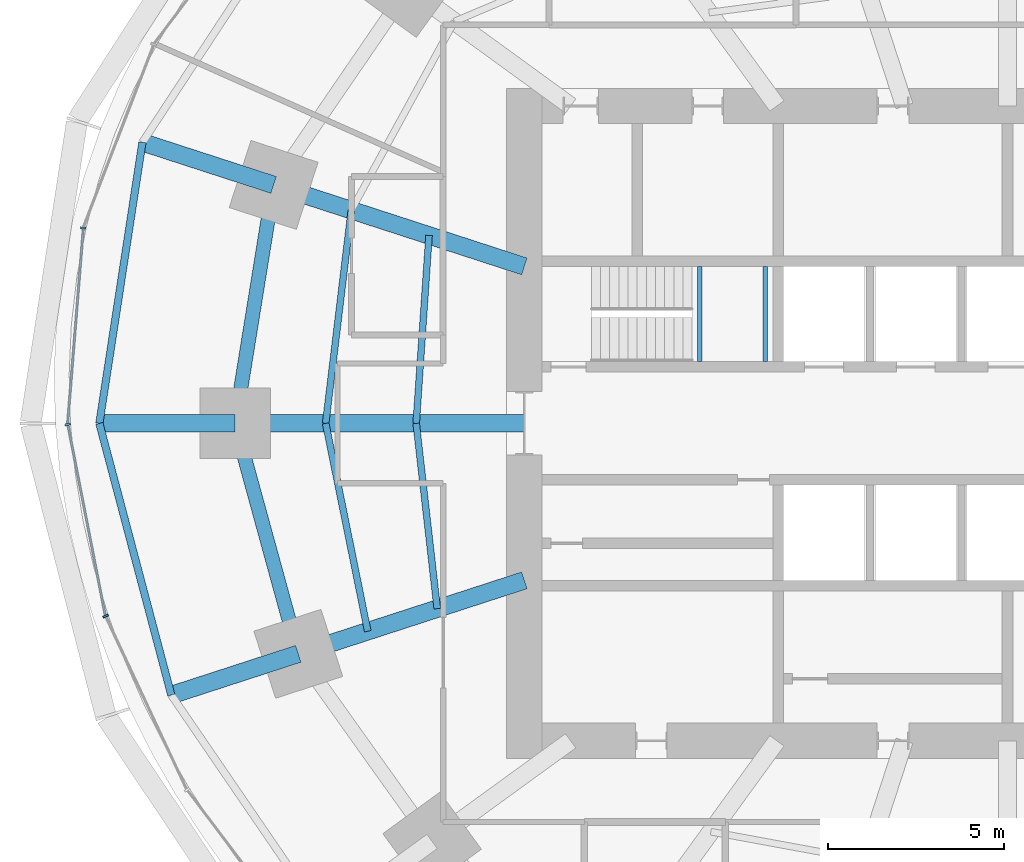
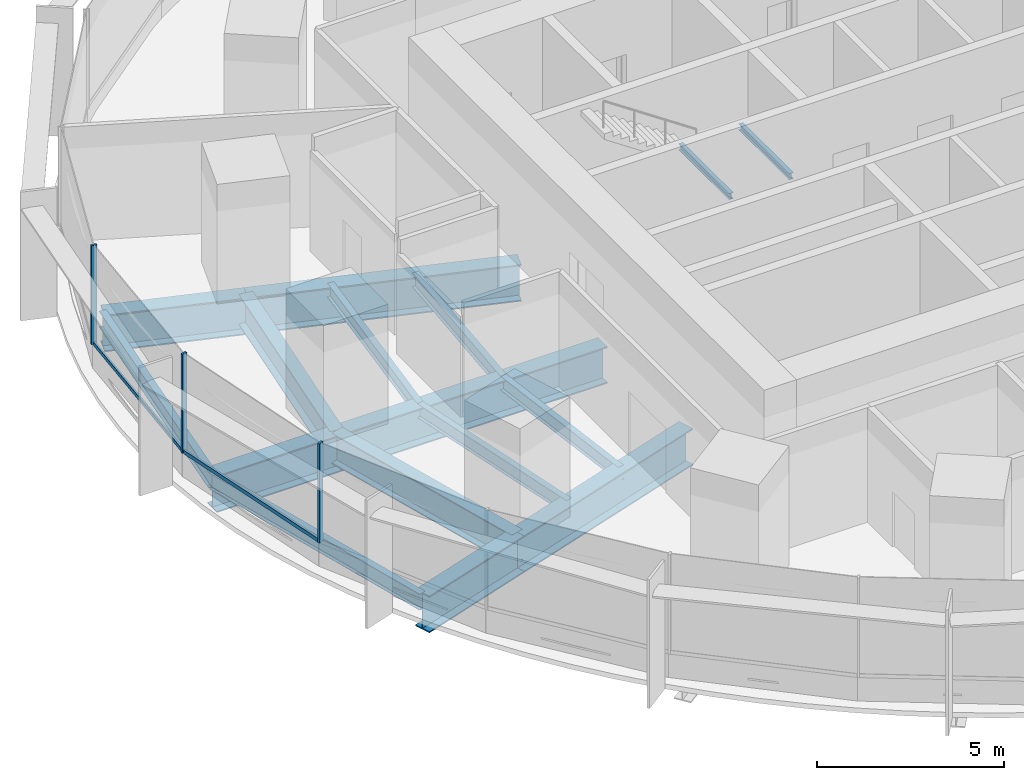
# One storey, part 4 of 15: 16 beams, 5 members, 2 elements without a shape of their own.
"""IFC4 building model written with IfcOpenShell, lengths in metres."""

from ifc_helpers import new_model, si_unit, direction, frame, origin, origin_2d, place, context, subcontext, project, spatial, rectangle, i_section, extrude, material, material_profile, profile_set, type_object, element, aggregate, save


model = new_model("IFC4")

# Units and contexts
model_context = context("Model", 3, precision=1e-05, world=origin(), true_north=direction((0.0, 1.0)))
body_context = subcontext(model_context, "Body", "Model", "MODEL_VIEW")
ifc_project = project(units=[si_unit("LENGTHUNIT", "METRE"), si_unit("AREAUNIT", "SQUARE_METRE"), si_unit("VOLUMEUNIT", "CUBIC_METRE"), si_unit("PLANEANGLEUNIT", "RADIAN"), si_unit("MASSUNIT", "GRAM", prefix="KILO")], contexts=[model_context])

# Site, building, storey
site_placement = place(None, origin())
site = spatial("IfcSite", under=ifc_project, at=site_placement, CompositionType="ELEMENT")
building_placement = place(site_placement, origin())
building = spatial("IfcBuilding", under=site, at=building_placement, Name="Marramba Exchange Tower", CompositionType="ELEMENT")
storey_placement = place(building_placement, frame((0.0, 0.0, 32.199951171875)))
storey = spatial("IfcBuildingStorey", under=building, at=storey_placement, Name="L07", CompositionType="ELEMENT", Elevation=32.199951171875)

# Beams
ifc_material_1 = material(Name="Steel AS/NZS 3679.2 grade 300", Category="steel")
ifc_material_profile_1 = material_profile(ifc_material_1, i_section(OverallWidth=0.5, OverallDepth=1.199951171875, WebThickness=0.01611328125, FlangeThickness=0.0400390625, at=origin_2d()), Name="1200WB455")
ifc_profile_set_1 = profile_set([ifc_material_profile_1], Name="Steel AS/NZS 3679.2 grade 300")
beam_type_1 = type_object("IfcBeamType", Name="Cantilever girder 1200WB455", PredefinedType="BEAM", material=ifc_profile_set_1)
beam_1_placement = place(storey_placement, frame((-20.808349609375, 6.760986328125, -0.760009765625), z_axis=(-0.951058833549, 0.309009862508, 0.0), x_axis=(-0.309009862508, -0.951058833549, 0.0)))
element("IfcBeam", 1, at=beam_1_placement, inside=storey, type_object=beam_type_1, Name="Cantilever girder L07 TC10", PredefinedType="BEAM", context=body_context, shape_type="SweptSolid", body=[
    extrude(i_section(OverallWidth=0.5, OverallDepth=1.199951171875, WebThickness=0.01611328125, FlangeThickness=0.0400390625, at=origin_2d()), origin(), (0.0, 0.0, 1.0), 3.91162109375),
])
beam_2_placement = place(storey_placement, frame((-21.89990234375, 0.0, -0.760009765625), z_axis=(-1.0, 0.0, 0.0), x_axis=(0.0, -1.0, 0.0)))
element("IfcBeam", 2, at=beam_2_placement, inside=storey, type_object=beam_type_1, Name="Cantilever girder L07 TC11", PredefinedType="BEAM", context=body_context, shape_type="SweptSolid", body=[
    extrude(i_section(OverallWidth=0.5, OverallDepth=1.199951171875, WebThickness=0.01611328125, FlangeThickness=0.0400390625, at=origin_2d()), origin(), (0.0, 0.0, 1.0), 3.85009765625),
])
beam_3_placement = place(storey_placement, frame((-20.109375, -6.533935546875, -0.760009765625), z_axis=(-0.951048759501, -0.309040866314, 0.0), x_axis=(0.309040866314, -0.951048759501, 0.0)))
element("IfcBeam", 3, at=beam_3_placement, inside=storey, type_object=beam_type_1, Name="Cantilever girder L07 TC12", PredefinedType="BEAM", context=body_context, shape_type="SweptSolid", body=[
    extrude(i_section(OverallWidth=0.5, OverallDepth=1.199951171875, WebThickness=0.01611328125, FlangeThickness=0.0400390625, at=origin_2d()), origin(), (0.0, 0.0, 1.0), 3.78564453125),
])
ifc_material_2 = material(Name="Steel AS/NZS 3679.1 grade 300", Category="steel")
ifc_material_profile_2 = material_profile(ifc_material_2, i_section(OverallWidth=0.18994140625, OverallDepth=0.4541015625, WebThickness=0.008544921875, FlangeThickness=0.0126953125, FilletRadius=0.011474609375, at=origin_2d()), Name="460UB67.1")
ifc_profile_set_2 = profile_set([ifc_material_profile_2], Name="Steel AS/NZS 3679.1 grade 300")
beam_type_2 = type_object("IfcBeamType", Name="Floor joist 460UB67.1", PredefinedType="JOIST", material=ifc_profile_set_2)
beam_4_placement = place(storey_placement, frame((-16.40283203125, 5.32958984375, -0.386962890625), z_axis=(-0.068096259546, -0.99767875563, 0.0), x_axis=(0.99767875563, -0.068096259546, 0.0)))
element("IfcBeam", 4, at=beam_4_placement, inside=storey, type_object=beam_type_2, Name="Joist L07 bay 10 row 1", PredefinedType="JOIST", context=body_context, shape_type="SweptSolid", body=[
    extrude(i_section(OverallWidth=0.18994140625, OverallDepth=0.4541015625, WebThickness=0.008544921875, FlangeThickness=0.0126953125, FilletRadius=0.011474609375, at=origin_2d()), origin(), (0.0, 0.0, 1.0), 5.342041015625),
])
beam_5_placement = place(storey_placement, frame((-18.60546875, 6.04541015625, -0.386962890625), z_axis=(-0.119523078538, -0.992831422597, 0.0), x_axis=(0.992831422597, -0.119523078538, 0.0)))
element("IfcBeam", 5, at=beam_5_placement, inside=storey, type_object=beam_type_2, Name="Joist L07 bay 10 row 2", PredefinedType="JOIST", context=body_context, shape_type="SweptSolid", body=[
    extrude(i_section(OverallWidth=0.18994140625, OverallDepth=0.4541015625, WebThickness=0.008544921875, FlangeThickness=0.0126953125, FilletRadius=0.011474609375, at=origin_2d()), origin(), (0.0, 0.0, 1.0), 6.089111328125),
])
beam_6_placement = place(storey_placement, frame((-16.7666015625, 0.0, -0.386962890625), z_axis=(0.112888968594, -0.993607609054, 0.0), x_axis=(0.993607609054, 0.112888968594, 0.0)))
element("IfcBeam", 6, at=beam_6_placement, inside=storey, type_object=beam_type_2, Name="Joist L07 bay 11 row 1", PredefinedType="JOIST", context=body_context, shape_type="SweptSolid", body=[
    extrude(i_section(OverallWidth=0.18994140625, OverallDepth=0.4541015625, WebThickness=0.008544921875, FlangeThickness=0.0126953125, FilletRadius=0.011474609375, at=origin_2d()), origin(), (0.0, 0.0, 1.0), 5.28759765625),
])
beam_7_placement = place(storey_placement, frame((-19.333251953125, 0.0, -0.386962890625), z_axis=(0.198489047047, -0.980103105904, 0.0), x_axis=(0.980103105904, 0.198489047047, 0.0)))
element("IfcBeam", 7, at=beam_7_placement, inside=storey, type_object=beam_type_2, Name="Joist L07 bay 11 row 2", PredefinedType="JOIST", context=body_context, shape_type="SweptSolid", body=[
    extrude(i_section(OverallWidth=0.18994140625, OverallDepth=0.4541015625, WebThickness=0.008544921875, FlangeThickness=0.0126953125, FilletRadius=0.011474609375, at=origin_2d()), origin(), (0.0, 0.0, 1.0), 6.013427734375),
])
ifc_material_profile_3 = material_profile(ifc_material_1, i_section(OverallWidth=0.5, OverallDepth=1.199951171875, WebThickness=0.01611328125, FlangeThickness=0.0400390625, at=origin_2d()), Name="1200WB455")
ifc_profile_set_3 = profile_set([ifc_material_profile_3], Name="Steel AS/NZS 3679.2 grade 300")
beam_type_3 = type_object("IfcBeamType", Name="Radial girder 1200WB455", PredefinedType="BEAM", material=ifc_profile_set_3)
beam_8_placement = place(storey_placement, frame((-13.699951171875, 4.451416015625, -0.760009765625), z_axis=(-0.951059990189, 0.309006302624, 0.0), x_axis=(-0.309006302624, -0.951059990189, 0.0)))
element("IfcBeam", 8, at=beam_8_placement, inside=storey, type_object=beam_type_3, Name="Radial girder L07 TC10", PredefinedType="BEAM", context=body_context, shape_type="SweptSolid", body=[
    extrude(i_section(OverallWidth=0.5, OverallDepth=1.199951171875, WebThickness=0.01611328125, FlangeThickness=0.0400390625, at=origin_2d()), origin(), (0.0, 0.0, 1.0), 7.47412109375),
])
beam_9_placement = place(storey_placement, frame((-13.699951171875, 0.0, -0.760009765625), z_axis=(-1.0, 0.0, 0.0), x_axis=(0.0, -1.0, 0.0)))
element("IfcBeam", 9, at=beam_9_placement, inside=storey, type_object=beam_type_3, Name="Radial girder L07 TC11", PredefinedType="BEAM", context=body_context, shape_type="SweptSolid", body=[
    extrude(i_section(OverallWidth=0.5, OverallDepth=1.199951171875, WebThickness=0.01611328125, FlangeThickness=0.0400390625, at=origin_2d()), origin(), (0.0, 0.0, 1.0), 8.199951171875),
])
beam_10_placement = place(storey_placement, frame((-13.699951171875, -4.451416015625, -0.760009765625), z_axis=(-0.951057759669, -0.309013167637, 0.0), x_axis=(0.309013167637, -0.951057759669, 0.0)))
element("IfcBeam", 10, at=beam_10_placement, inside=storey, type_object=beam_type_3, Name="Radial girder L07 TC12", PredefinedType="BEAM", context=body_context, shape_type="SweptSolid", body=[
    extrude(i_section(OverallWidth=0.5, OverallDepth=1.199951171875, WebThickness=0.01611328125, FlangeThickness=0.0400390625, at=origin_2d()), origin(), (0.0, 0.0, 1.0), 6.7392578125),
])
ifc_material_profile_4 = material_profile(ifc_material_1, i_section(OverallWidth=0.39990234375, OverallDepth=1.0, WebThickness=0.01611328125, FlangeThickness=0.031982421875, at=origin_2d()), Name="1000WB322")
ifc_profile_set_4 = profile_set([ifc_material_profile_4], Name="Steel AS/NZS 3679.2 grade 300")
beam_type_4 = type_object("IfcBeamType", Name="Ring beam 1000WB322", PredefinedType="SPANDREL", material=ifc_profile_set_4)
beam_11_placement = place(storey_placement, frame((-20.808349609375, 6.760986328125, -0.659912109375), z_axis=(-0.159384865399, -0.987216523708, 0.0), x_axis=(0.987216523708, -0.159384865399, 0.0)))
element("IfcBeam", 11, at=beam_11_placement, inside=storey, type_object=beam_type_4, Name="Ring beam L07 TC10-TC11", PredefinedType="SPANDREL", context=body_context, shape_type="SweptSolid", body=[
    extrude(i_section(OverallWidth=0.39990234375, OverallDepth=1.0, WebThickness=0.01611328125, FlangeThickness=0.031982421875, at=origin_2d()), origin(), (0.0, 0.0, 1.0), 6.8486328125),
])
beam_12_placement = place(storey_placement, frame((-21.89990234375, 0.0, -0.659912109375), z_axis=(0.264291166956, -0.964442937176, 0.0), x_axis=(0.964442937176, 0.264291166956, 0.0)))
element("IfcBeam", 12, at=beam_12_placement, inside=storey, type_object=beam_type_4, Name="Ring beam L07 TC11-TC12", PredefinedType="SPANDREL", context=body_context, shape_type="SweptSolid", body=[
    extrude(i_section(OverallWidth=0.39990234375, OverallDepth=1.0, WebThickness=0.01611328125, FlangeThickness=0.031982421875, at=origin_2d()), origin(), (0.0, 0.0, 1.0), 6.77490234375),
])
ifc_material_profile_5 = material_profile(ifc_material_2, i_section(OverallWidth=0.208984375, OverallDepth=0.528076171875, WebThickness=0.009521484375, FlangeThickness=0.01318359375, FilletRadius=0.013916015625, at=origin_2d()), Name="530UB82.0")
ifc_profile_set_5 = profile_set([ifc_material_profile_5], Name="Steel AS/NZS 3679.1 grade 300")
beam_type_5 = type_object("IfcBeamType", Name="Slab edge beam 530UB82.0", PredefinedType="SPANDREL", material=ifc_profile_set_5)
beam_13_placement = place(storey_placement, frame((-24.528564453125, 7.9697265625, -0.424072265625), z_axis=(-0.151490591645, -0.988458699513, 0.0), x_axis=(0.988458699513, -0.151490591645, 0.0)))
element("IfcBeam", 13, at=beam_13_placement, inside=storey, type_object=beam_type_5, Name="Slab edge beam L07 TC10-TC11", PredefinedType="SPANDREL", context=body_context, shape_type="SweptSolid", body=[
    extrude(i_section(OverallWidth=0.208984375, OverallDepth=0.528076171875, WebThickness=0.009521484375, FlangeThickness=0.01318359375, FilletRadius=0.013916015625, at=origin_2d()), origin(), (0.0, 0.0, 1.0), 8.062744140625),
])
beam_14_placement = place(storey_placement, frame((-25.75, 0.0, -0.424072265625), z_axis=(0.25601296674, -0.966673347549, 0.0), x_axis=(0.966673347549, 0.25601296674, 0.0)))
element("IfcBeam", 14, at=beam_14_placement, inside=storey, type_object=beam_type_5, Name="Slab edge beam L07 TC11-TC12", PredefinedType="SPANDREL", context=body_context, shape_type="SweptSolid", body=[
    extrude(i_section(OverallWidth=0.208984375, OverallDepth=0.528076171875, WebThickness=0.009521484375, FlangeThickness=0.01318359375, FilletRadius=0.013916015625, at=origin_2d()), origin(), (0.0, 0.0, 1.0), 7.969482421875),
])
ifc_material_profile_6 = material_profile(ifc_material_2, i_section(OverallWidth=0.133056640625, OverallDepth=0.202880859375, WebThickness=0.005859375, FlangeThickness=0.0078125, FilletRadius=0.0087890625, at=origin_2d()), Name="200UB25.4")
ifc_profile_set_6 = profile_set([ifc_material_profile_6], Name="Steel AS/NZS 3679.1 grade 300")
beam_type_6 = type_object("IfcBeamType", Name="Stair landing beam 200UB25.4", PredefinedType="BEAM", material=ifc_profile_set_6)
for number, where, z_axis, x_axis, name in (
    (15, (-8.723388671875, 1.75, 1.798583984375), (0.0, 1.0, 0.0), (-1.0, 0.0, 0.0), "Stair landing beam SLB1 ST1 L07 1"),
    (16, (-6.866455078125, 1.75, 1.798583984375), (0.0, 1.0, 0.0), (-1.0, 0.0, 0.0), "Stair landing beam SLB1 ST1 L07 2"),
):
    element("IfcBeam", number, at=place(storey_placement, frame(where, z_axis=z_axis, x_axis=x_axis)), inside=storey, type_object=beam_type_6, Name=name, PredefinedType="BEAM", context=body_context, shape_type="SweptSolid", body=[
        extrude(i_section(OverallWidth=0.133056640625, OverallDepth=0.202880859375, WebThickness=0.005859375, FlangeThickness=0.0078125, FilletRadius=0.0087890625, at=origin_2d()), origin(), (0.0, 0.0, 1.0), 2.699951171875),
    ])

# Curtain wall, member
ifc_material_3 = material(Name="Aluminium framing, bronze anodised", Category="aluminium")
curtain_wall_type = type_object("IfcCurtainWallType", Name="Trading floor ribbon curtain wall", PredefinedType="USERDEFINED", material=ifc_material_3)
curtain_wall_1_placement = place(storey_placement, origin())
curtain_wall_1 = element("IfcCurtainWall", 17, at=curtain_wall_1_placement, inside=storey, type_object=curtain_wall_type, Name="Curtain wall CW3 L07 F11-F15", ObjectType="RIBBON CURTAIN WALL", PredefinedType="USERDEFINED")
ifc_material_4 = material(Name="Aluminium mullion, bronze anodised", Category="aluminium")
ifc_material_profile_7 = material_profile(ifc_material_4, rectangle(XDim=0.159912109375, YDim=0.06005859375, at=origin_2d()), Name="CW3 mullion 60x160")
ifc_profile_set_7 = profile_set([ifc_material_profile_7], Name="Aluminium mullion, bronze anodised")
member_type_1 = type_object("IfcMemberType", Name="Trading floor ribbon curtain wall mullion", PredefinedType="MULLION", material=ifc_profile_set_7)
member_1_placement = place(storey_placement, frame((-26.203857421875, 5.539306640625, 0.800048828125), z_axis=(0.0, 0.0, 1.0), x_axis=(0.996772736434, -0.080275225953, 0.0)))
member_1 = element("IfcMember", 18, at=member_1_placement, type_object=member_type_1, Name="CW3 mullion 1", PredefinedType="MULLION", context=body_context, shape_type="SweptSolid", body=[
    extrude(rectangle(XDim=0.159912109375, YDim=0.06005859375, at=origin_2d()), origin(), (0.0, 0.0, 1.0), 3.239990234375),
])

# Curtain wall, members
curtain_wall_2_placement = place(storey_placement, origin())
curtain_wall_2 = element("IfcCurtainWall", 19, at=curtain_wall_2_placement, inside=storey, type_object=curtain_wall_type, Name="Curtain wall CW3 L07 F16-F20", ObjectType="RIBBON CURTAIN WALL", PredefinedType="USERDEFINED")
member_2_placement = place(storey_placement, frame((-26.644287109375, -0.029541015625, 0.800048828125), z_axis=(0.0, 0.0, 1.0), x_axis=(0.981346261612, 0.1922485756, 0.0)))
member_2 = element("IfcMember", 20, at=member_2_placement, type_object=member_type_1, Name="CW3 mullion 1", PredefinedType="MULLION", context=body_context, shape_type="SweptSolid", body=[
    extrude(rectangle(XDim=0.159912109375, YDim=0.06005859375, at=origin_2d()), origin(), (0.0, 0.0, 1.0), 3.239990234375),
])
member_3_placement = place(storey_placement, frame((-25.572021484375, -5.46533203125, 0.800048828125), z_axis=(0.0, 0.0, 1.0), x_axis=(0.905906758768, 0.423477206492, 0.0)))
member_3 = element("IfcMember", 21, at=member_3_placement, type_object=member_type_1, Name="CW3 mullion 1", PredefinedType="MULLION", context=body_context, shape_type="SweptSolid", body=[
    extrude(rectangle(XDim=0.159912109375, YDim=0.06005859375, at=origin_2d()), origin(), (0.0, 0.0, 1.0), 3.239990234375),
])

# Member
ifc_material_5 = material(Name="Aluminium transom, bronze anodised", Category="aluminium")
ifc_material_profile_8 = material_profile(ifc_material_5, rectangle(XDim=0.06005859375, YDim=0.1201171875, at=origin_2d()), Name="CW3 transom 60x120")
ifc_profile_set_8 = profile_set([ifc_material_profile_8], Name="Aluminium transom, bronze anodised")
member_type_2 = type_object("IfcMemberType", Name="Trading floor ribbon curtain wall transom", PredefinedType="USERDEFINED", material=ifc_profile_set_8)
member_4_placement = place(storey_placement, frame((-26.206298828125, 5.509521484375, 0.830078125), z_axis=(-0.080256075865, -0.996774278504, 0.0), x_axis=(0.996774278504, -0.080256075865, 0.0)))
member_4 = element("IfcMember", 22, at=member_4_placement, type_object=member_type_2, Name="CW3 sill transom", ObjectType="TRANSOM", PredefinedType="USERDEFINED", context=body_context, shape_type="SweptSolid", body=[
    extrude(rectangle(XDim=0.06005859375, YDim=0.1201171875, at=origin_2d()), origin(), (0.0, 0.0, 1.0), 5.52734375),
])

aggregate(curtain_wall_1, [member_1, member_4])

member_5_placement = place(storey_placement, frame((-26.638427734375, -0.058837890625, 0.830078125), z_axis=(0.192226081646, -0.981350667975, 0.0), x_axis=(0.981350667975, 0.192226081646, 0.0)))
member_5 = element("IfcMember", 23, at=member_5_placement, type_object=member_type_2, Name="CW3 sill transom", ObjectType="TRANSOM", PredefinedType="USERDEFINED", context=body_context, shape_type="SweptSolid", body=[
    extrude(rectangle(XDim=0.06005859375, YDim=0.1201171875, at=origin_2d()), origin(), (0.0, 0.0, 1.0), 5.481689453125),
])

aggregate(curtain_wall_2, [member_2, member_5, member_3])

save(model, "model.ifc")
